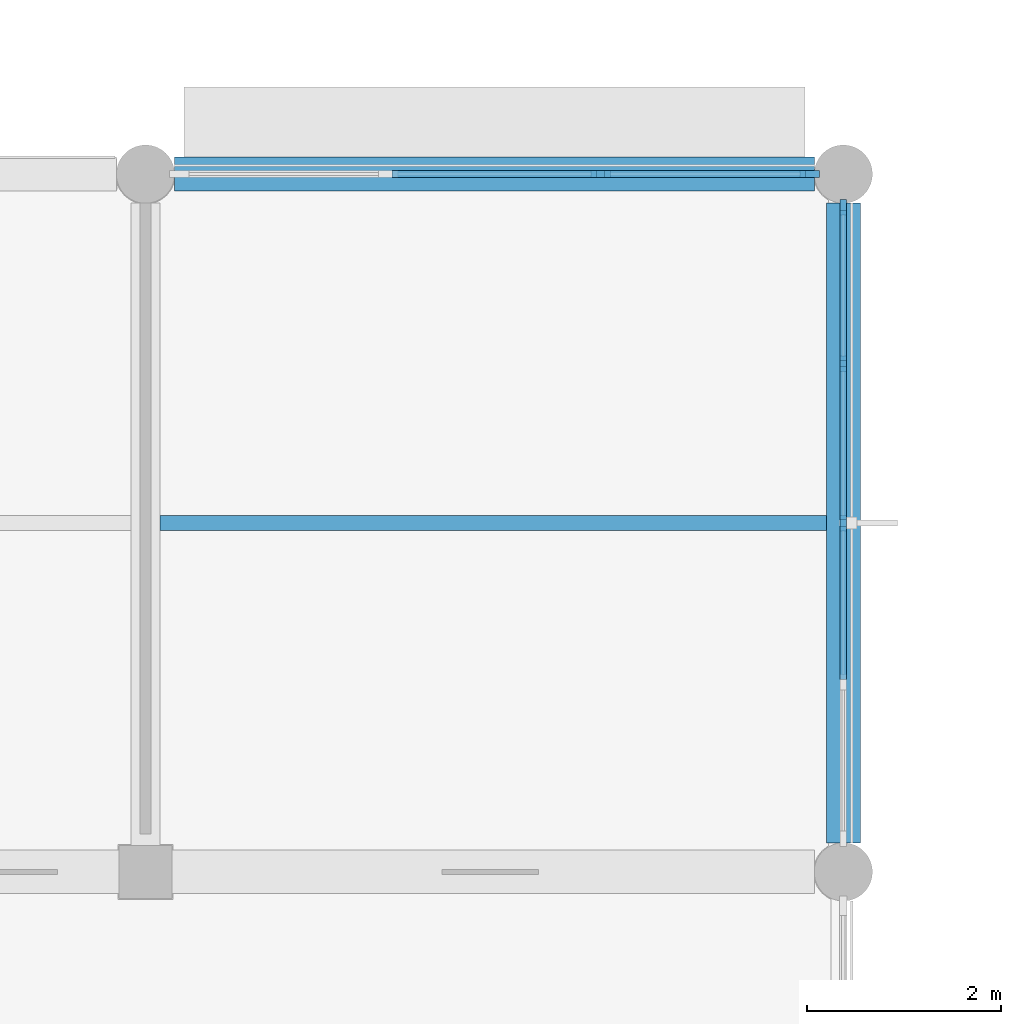
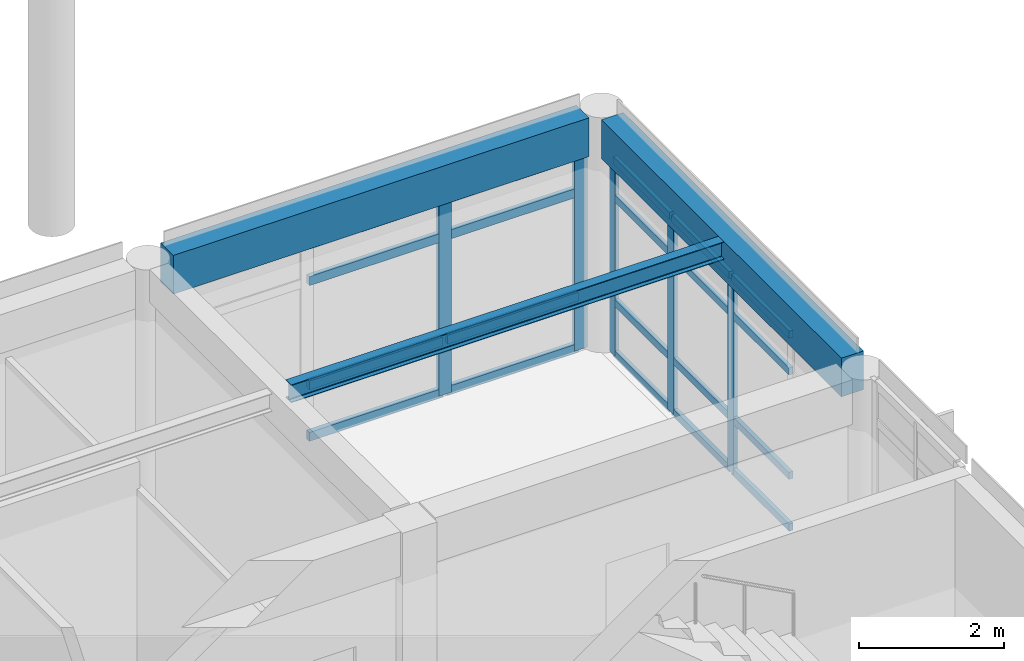
# One storey, part 8 of 29: 25 members, 3 beams, 2 elements without a shape of their own.
"""IFC4 building model written with IfcOpenShell, lengths in metres."""

import ifcopenshell
import ifcopenshell.guid

model = None  # the IFC model being written
_history = None  # IfcOwnerHistory: only IFC2X3 demands one
_inside = {}  # id of a spatial element -> (the spatial element, [elements in it])
_under = {}  # id of a project, library or spatial element -> (it, [spatial elements below it])
_declared = {}  # id of a project -> (the project, [libraries it declares])
_typed = {}  # id of a type object -> (the type object, [elements of that type])
_made_of = {}  # id of a material, layer set ... -> (it, [elements and type objects made of it])


def new_model(schema):
    """Start an empty IFC model of exactly this schema.

    Asked for "IFC4X3", IfcOpenShell would pick the latest addendum, in which some entities
    have other attributes; the version numbers below select the first issue.
    IFC2X3 requires an IfcOwnerHistory on every rooted entity: one is made here for all.
    """
    global model, _history
    if schema == "IFC4X3":
        model = ifcopenshell.file(schema_version=(4, 3, 0, 0))
    else:
        model = ifcopenshell.file(schema=schema)
    _inside.clear()
    _under.clear()
    _declared.clear()
    _typed.clear()
    _made_of.clear()
    _history = None
    if model.schema == "IFC2X3":
        org = make("IfcOrganization", Name="unknown")
        user = make(
            "IfcPersonAndOrganization",
            ThePerson=make("IfcPerson", FamilyName="unknown"),
            TheOrganization=org,
        )
        app = make(
            "IfcApplication",
            ApplicationDeveloper=org,
            Version="unknown",
            ApplicationFullName="unknown",
            ApplicationIdentifier="unknown",
        )
        _history = make(
            "IfcOwnerHistory",
            OwningUser=user,
            OwningApplication=app,
            ChangeAction="ADDED",
            CreationDate=0,
        )
    return model


def make(cls, **values):
    """One entity of the class cls with the attributes given. An attribute that is None is left unset."""
    return model.create_entity(
        cls, **{name: value for name, value in values.items() if value is not None}
    )


def rooted(cls, **values):
    """An entity with a GlobalId (a new one), such as an element, a storey or a relation."""
    return make(cls, GlobalId=ifcopenshell.guid.new(), OwnerHistory=_history, **values)


def si_unit(unit_type, name, prefix=None):
    """IfcSIUnit, for example si_unit("LENGTHUNIT", "METRE", prefix="MILLI")."""
    return make("IfcSIUnit", UnitType=unit_type, Prefix=prefix, Name=name)


def assignment(units):
    """IfcUnitAssignment: the units of a project."""
    return None if units is None else make("IfcUnitAssignment", Units=units)


def point(xyz):
    """IfcCartesianPoint."""
    return None if xyz is None else make("IfcCartesianPoint", Coordinates=xyz)


def direction(xyz):
    """IfcDirection."""
    return None if xyz is None else make("IfcDirection", DirectionRatios=xyz)


def frame(location, z_axis=None, x_axis=None):
    """IfcAxis2Placement3D, a coordinate frame: its origin and axes. An axis left out is left unset."""
    return make(
        "IfcAxis2Placement3D",
        Location=point(location),
        Axis=direction(z_axis),
        RefDirection=direction(x_axis),
    )


def frame_2d(location, x_axis=None):
    """IfcAxis2Placement2D, a coordinate frame in the plane: its origin and x axis."""
    return make(
        "IfcAxis2Placement2D", Location=point(location), RefDirection=direction(x_axis)
    )


def origin():
    """The frame at (0, 0, 0) with its axes left unset."""
    return frame((0.0, 0.0, 0.0))


def origin_2d():
    """The frame at (0, 0) in the plane with its x axis left unset."""
    return frame_2d((0.0, 0.0))


def place(relative_to, where):
    """IfcLocalPlacement: puts the frame where relative to a parent placement (None: the world)."""
    return make(
        "IfcLocalPlacement", PlacementRelTo=relative_to, RelativePlacement=where
    )


def context(
    kind, dimensions, precision=None, world=None, true_north=None, identifier=None
):
    """IfcGeometricRepresentationContext, for example the 3D "Model" context."""
    return make(
        "IfcGeometricRepresentationContext",
        ContextIdentifier=identifier,
        ContextType=kind,
        CoordinateSpaceDimension=dimensions,
        Precision=precision,
        WorldCoordinateSystem=world,
        TrueNorth=true_north,
    )


def subcontext(parent, identifier, kind, view, scale=None):
    """IfcGeometricRepresentationSubContext, for example "Body" below "Model"."""
    return make(
        "IfcGeometricRepresentationSubContext",
        ContextIdentifier=identifier,
        ContextType=kind,
        ParentContext=parent,
        TargetScale=scale,
        TargetView=view,
    )


def project(units=None, contexts=None):
    """IfcProject with its units and contexts."""
    return rooted(
        "IfcProject",
        Name="project",
        RepresentationContexts=contexts,
        UnitsInContext=assignment(units),
    )


def spatial(cls, under=None, at=None, **own):
    """A site, building, storey or space (cls), placed at a placement, below another one or the project."""
    s = rooted(cls, ObjectPlacement=at, **own)
    if under is not None:
        _under.setdefault(under.id(), (under, []))[1].append(s)
    return s


def profile(cls, at=None, kind="AREA", **sizes):
    """A parametric profile (cls). Its sizes go by their IFC names, for example OverallWidth=200.0."""
    return make(cls, ProfileType=kind, Position=at, **sizes)


def rectangle(**sizes):
    """IfcRectangleProfileDef."""
    return profile("IfcRectangleProfileDef", **sizes)


def i_section(**sizes):
    """IfcIShapeProfileDef."""
    return profile("IfcIShapeProfileDef", **sizes)


def extrude(swept, where, along, depth):
    """IfcExtrudedAreaSolid: the profile swept, set in the frame where, extruded along a direction by depth."""
    return make(
        "IfcExtrudedAreaSolid",
        SweptArea=swept,
        Position=where,
        ExtrudedDirection=direction(along),
        Depth=depth,
    )


def shape(context_of_items, identifier, shape_type, items):
    """IfcShapeRepresentation: the items that make up one representation, for example the "Body"."""
    return make(
        "IfcShapeRepresentation",
        ContextOfItems=context_of_items,
        RepresentationIdentifier=identifier,
        RepresentationType=shape_type,
        Items=items,
    )


def material(Name=None, Category=None):
    """IfcMaterial."""
    return make("IfcMaterial", Name=Name, Category=Category)


def layer(
    of_material, thickness, ventilated=None, Name=None, Category=None, Priority=None
):
    """IfcMaterialLayer: one layer of a wall or slab, of a material (None: an air gap)."""
    return make(
        "IfcMaterialLayer",
        Material=of_material,
        LayerThickness=thickness,
        IsVentilated=ventilated,
        Name=Name,
        Category=Category,
        Priority=Priority,
    )


def layer_set(layers, Name=None):
    """IfcMaterialLayerSet."""
    return make("IfcMaterialLayerSet", MaterialLayers=layers, LayerSetName=Name)


def material_profile(
    of_material, cross_section, Name=None, Category=None, Priority=None
):
    """IfcMaterialProfile: a cross section and its material."""
    return make(
        "IfcMaterialProfile",
        Name=Name,
        Material=of_material,
        Profile=cross_section,
        Priority=Priority,
        Category=Category,
    )


def profile_set(profiles, Name=None, composite=None):
    """IfcMaterialProfileSet."""
    return make(
        "IfcMaterialProfileSet",
        Name=Name,
        MaterialProfiles=profiles,
        CompositeProfile=composite,
    )


def made_of(thing, what):
    """Note that an element or type object is made of a material, layer set ...; save() writes the relation."""
    if what is not None:
        _made_of.setdefault(what.id(), (what, []))[1].append(thing)
    return thing


def type_object(cls, material=None, **own):
    """A type object (cls), such as IfcWallType, which elements share."""
    return made_of(rooted(cls, **own), material)


def element(
    cls,
    number,
    at=None,
    inside=None,
    cuts=None,
    type_object=None,
    material=None,
    context=None,
    identifier="Body",
    shape_type=None,
    held_by="IfcProductDefinitionShape",
    body=None,
    shapes=None,
    **own,
):
    """One element of the class cls, such as IfcWall. Its Tag is "e" and its number.

    at: its placement. inside: the storey or other place that contains it. cuts: it is an
    opening in that element (IfcRelVoidsElement). A single representation is given by context,
    identifier, shape_type and body (its items); several are given by shapes. held_by: the class
    of the entity that holds the representations. save() writes the other relations.
    """
    e = rooted(cls, Tag="e%d" % number, ObjectPlacement=at, **own)
    if body is not None:
        shapes = [shape(context, identifier, shape_type, body)]
    if shapes is not None:
        e.Representation = make(held_by, Representations=shapes)
    if inside is not None:
        _inside.setdefault(inside.id(), (inside, []))[1].append(e)
    if cuts is not None:
        rooted(
            "IfcRelVoidsElement", RelatingBuildingElement=cuts, RelatedOpeningElement=e
        )
    if type_object is not None:
        _typed.setdefault(type_object.id(), (type_object, []))[1].append(e)
    return made_of(e, material)


def aggregate(whole, parts):
    """IfcRelAggregates: a whole, such as a stair, and the parts it consists of."""
    return rooted("IfcRelAggregates", RelatingObject=whole, RelatedObjects=parts)


def save(model, path):
    """Write the relations noted so far, then the file.

    IfcRelAggregates (storeys below a building ...), IfcRelContainedInSpatialStructure (elements
    in a storey), IfcRelDefinesByType, IfcRelAssociatesMaterial and IfcRelDeclares: one each for
    every whole, place, type object, material and project.
    """
    for whole, parts in _under.values():
        aggregate(whole, parts)
    for where, things in _inside.values():
        rooted(
            "IfcRelContainedInSpatialStructure",
            RelatedElements=things,
            RelatingStructure=where,
        )
    for kind, things in _typed.values():
        rooted("IfcRelDefinesByType", RelatedObjects=things, RelatingType=kind)
    for what, things in _made_of.values():
        rooted("IfcRelAssociatesMaterial", RelatedObjects=things, RelatingMaterial=what)
    for by, libraries in _declared.values():
        rooted("IfcRelDeclares", RelatingContext=by, RelatedDefinitions=libraries)
    model.write(path)


model = new_model("IFC4")

# Units and contexts
model_context = context("Model", 3, precision=1e-05, world=origin(), true_north=direction((0.0, 1.0)))
body_context = subcontext(model_context, "Body", "Model", "MODEL_VIEW")
ifc_project = project(units=[si_unit("LENGTHUNIT", "METRE"), si_unit("AREAUNIT", "SQUARE_METRE"), si_unit("VOLUMEUNIT", "CUBIC_METRE"), si_unit("PLANEANGLEUNIT", "RADIAN"), si_unit("MASSUNIT", "GRAM", prefix="KILO")], contexts=[model_context])

# Site, building, storey
site_placement = place(None, origin())
site = spatial("IfcSite", under=ifc_project, at=site_placement, CompositionType="ELEMENT")
building_placement = place(site_placement, origin())
building = spatial("IfcBuilding", under=site, at=building_placement, Name="Namkhue Oval Health Centre", CompositionType="ELEMENT")
storey_placement = place(building_placement, frame((0.0, 0.0, 18.0)))
storey = spatial("IfcBuildingStorey", under=building, at=storey_placement, Name="L04", CompositionType="ELEMENT", Elevation=18.0)

# Curtain wall, members
ifc_material_1 = material(Name="Anodised aluminium EN AW-6063 T6", Category="aluminium")
ifc_layer_1 = layer(ifc_material_1, 0.159912109375)
ifc_layer_set_1 = layer_set([ifc_layer_1], Name="Anodised aluminium EN AW-6063 T6")
curtain_wall_type_1 = type_object("IfcCurtainWallType", Name="UNITISED CURTAIN WALL M1800", PredefinedType="NOTDEFINED", material=ifc_layer_set_1)
curtain_wall_1_placement = place(storey_placement, origin())
curtain_wall_1 = element("IfcCurtainWall", 1, at=curtain_wall_1_placement, inside=storey, type_object=curtain_wall_type_1, Name="Volume V3 L04 Unitised Curtain Wall 125", PredefinedType="NOTDEFINED")
ifc_material_profile_1 = material_profile(ifc_material_1, rectangle(XDim=0.06494140625, YDim=0.159912109375, at=origin_2d()), Name="ALU 65x160")
ifc_profile_set_1 = profile_set([ifc_material_profile_1], Name="Anodised aluminium EN AW-6063 T6")
member_type_1 = type_object("IfcMemberType", Name="CURTAIN WALL MULLION 65X160", PredefinedType="MULLION", material=ifc_profile_set_1)
member_1_placement = place(storey_placement, frame((122.39990234375, 100.800048828125, 0.0), z_axis=(0.0, 0.0, 1.0), x_axis=(-1.0, 0.0, 0.0)))
member_1 = element("IfcMember", 2, at=member_1_placement, type_object=member_type_1, Name="CW-05 mullion 3", PredefinedType="MULLION", context=body_context, shape_type="SweptSolid", body=[
    extrude(rectangle(XDim=0.06494140625, YDim=0.159912109375, at=origin_2d()), origin(), (0.0, 0.0, 1.0), 3.302001953125),
])
member_2_placement = place(storey_placement, frame((122.39990234375, 102.445068359375, 0.0), z_axis=(0.0, 0.0, 1.0), x_axis=(-1.0, 0.0, 0.0)))
member_2 = element("IfcMember", 3, at=member_2_placement, type_object=member_type_1, Name="CW-05 mullion 4", PredefinedType="MULLION", context=body_context, shape_type="SweptSolid", body=[
    extrude(rectangle(XDim=0.06494140625, YDim=0.159912109375, at=origin_2d()), origin(), (0.0, 0.0, 1.0), 3.302001953125),
])
member_3_placement = place(storey_placement, frame((122.39990234375, 104.0576171875, 0.0), z_axis=(0.0, 0.0, 1.0), x_axis=(-1.0, 0.0, 0.0)))
member_3 = element("IfcMember", 4, at=member_3_placement, type_object=member_type_1, Name="CW-05 mullion 5", PredefinedType="MULLION", context=body_context, shape_type="SweptSolid", body=[
    extrude(rectangle(XDim=0.06494140625, YDim=0.159912109375, at=origin_2d()), origin(), (0.0, 0.0, 1.0), 3.302001953125),
])

ifc_layer_2 = layer(ifc_material_1, 0.159912109375)
ifc_layer_set_2 = layer_set([ifc_layer_2], Name="Anodised aluminium EN AW-6063 T6")
curtain_wall_type_2 = type_object("IfcCurtainWallType", Name="UNITISED CURTAIN WALL M2000", PredefinedType="NOTDEFINED", material=ifc_layer_set_2)
curtain_wall_2_placement = place(storey_placement, origin())
curtain_wall_2 = element("IfcCurtainWall", 5, at=curtain_wall_2_placement, inside=storey, type_object=curtain_wall_type_2, Name="Volume V3 L04 Unitised Curtain Wall 126", PredefinedType="NOTDEFINED")
ifc_material_profile_2 = material_profile(ifc_material_1, rectangle(XDim=0.074951171875, YDim=0.199951171875, at=origin_2d()), Name="ALU 75x200")
ifc_profile_set_2 = profile_set([ifc_material_profile_2], Name="Anodised aluminium EN AW-6063 T6")
member_type_2 = type_object("IfcMemberType", Name="CURTAIN WALL MULLION 75X200", PredefinedType="MULLION", material=ifc_profile_set_2)
member_4_placement = place(storey_placement, frame((122.052490234375, 104.39990234375, 0.0), z_axis=(0.0, 0.0, 1.0), x_axis=(0.0, -1.0, 0.0)))
member_4 = element("IfcMember", 6, at=member_4_placement, type_object=member_type_2, Name="CW-06 mullion 1", PredefinedType="MULLION", context=body_context, shape_type="SweptSolid", body=[
    extrude(rectangle(XDim=0.074951171875, YDim=0.199951171875, at=origin_2d()), origin(), (0.0, 0.0, 1.0), 3.302001953125),
])
member_5_placement = place(storey_placement, frame((119.896728515625, 104.39990234375, 0.0), z_axis=(0.0, 0.0, 1.0), x_axis=(0.0, -1.0, 0.0)))
member_5 = element("IfcMember", 7, at=member_5_placement, type_object=member_type_2, Name="CW-06 mullion 2", PredefinedType="MULLION", context=body_context, shape_type="SweptSolid", body=[
    extrude(rectangle(XDim=0.074951171875, YDim=0.199951171875, at=origin_2d()), origin(), (0.0, 0.0, 1.0), 3.302001953125),
])

# Member
ifc_material_profile_3 = material_profile(ifc_material_1, rectangle(XDim=0.06494140625, YDim=0.1201171875, at=origin_2d()), Name="ALU 65x120")
ifc_profile_set_3 = profile_set([ifc_material_profile_3], Name="Anodised aluminium EN AW-6063 T6")
member_type_3 = type_object("IfcMemberType", Name="CURTAIN WALL TRANSOM 65X120", PredefinedType="USERDEFINED", material=ifc_profile_set_3)
member_6_placement = place(storey_placement, frame((122.39990234375, 99.1875, 0.032470703125), z_axis=(0.0, 1.0, 0.0), x_axis=(-1.0, 0.0, 0.0)))
member_6 = element("IfcMember", 8, at=member_6_placement, type_object=member_type_3, Name="CW-05 transom 2.1", ObjectType="TRANSOM", PredefinedType="USERDEFINED", context=body_context, shape_type="SweptSolid", body=[
    extrude(rectangle(XDim=0.06494140625, YDim=0.1201171875, at=origin_2d()), origin(), (0.0, 0.0, 1.0), 1.580078125),
])

member_7_placement = place(storey_placement, frame((122.39990234375, 99.1875, 0.89990234375), z_axis=(0.0, 1.0, 0.0), x_axis=(-1.0, 0.0, 0.0)))
member_7 = element("IfcMember", 9, at=member_7_placement, type_object=member_type_3, Name="CW-05 transom 2.2", ObjectType="TRANSOM", PredefinedType="USERDEFINED", context=body_context, shape_type="SweptSolid", body=[
    extrude(rectangle(XDim=0.06494140625, YDim=0.1201171875, at=origin_2d()), origin(), (0.0, 0.0, 1.0), 1.580078125),
])

member_8_placement = place(storey_placement, frame((122.39990234375, 99.1875, 2.652099609375), z_axis=(0.0, 1.0, 0.0), x_axis=(-1.0, 0.0, 0.0)))
member_8 = element("IfcMember", 10, at=member_8_placement, type_object=member_type_3, Name="CW-05 transom 2.3", ObjectType="TRANSOM", PredefinedType="USERDEFINED", context=body_context, shape_type="SweptSolid", body=[
    extrude(rectangle(XDim=0.06494140625, YDim=0.1201171875, at=origin_2d()), origin(), (0.0, 0.0, 1.0), 1.580078125),
])

member_9_placement = place(storey_placement, frame((122.39990234375, 99.1875, 3.26953125), z_axis=(0.0, 1.0, 0.0), x_axis=(-1.0, 0.0, 0.0)))
member_9 = element("IfcMember", 11, at=member_9_placement, type_object=member_type_3, Name="CW-05 transom 2.4", ObjectType="TRANSOM", PredefinedType="USERDEFINED", context=body_context, shape_type="SweptSolid", body=[
    extrude(rectangle(XDim=0.06494140625, YDim=0.1201171875, at=origin_2d()), origin(), (0.0, 0.0, 1.0), 1.580078125),
])

member_10_placement = place(storey_placement, frame((122.39990234375, 100.83251953125, 0.032470703125), z_axis=(0.0, 1.0, 0.0), x_axis=(-1.0, 0.0, 0.0)))
member_10 = element("IfcMember", 12, at=member_10_placement, type_object=member_type_3, Name="CW-05 transom 3.1", ObjectType="TRANSOM", PredefinedType="USERDEFINED", context=body_context, shape_type="SweptSolid", body=[
    extrude(rectangle(XDim=0.06494140625, YDim=0.1201171875, at=origin_2d()), origin(), (0.0, 0.0, 1.0), 1.580078125),
])

member_11_placement = place(storey_placement, frame((122.39990234375, 100.83251953125, 0.89990234375), z_axis=(0.0, 1.0, 0.0), x_axis=(-1.0, 0.0, 0.0)))
member_11 = element("IfcMember", 13, at=member_11_placement, type_object=member_type_3, Name="CW-05 transom 3.2", ObjectType="TRANSOM", PredefinedType="USERDEFINED", context=body_context, shape_type="SweptSolid", body=[
    extrude(rectangle(XDim=0.06494140625, YDim=0.1201171875, at=origin_2d()), origin(), (0.0, 0.0, 1.0), 1.580078125),
])

member_12_placement = place(storey_placement, frame((122.39990234375, 100.83251953125, 2.652099609375), z_axis=(0.0, 1.0, 0.0), x_axis=(-1.0, 0.0, 0.0)))
member_12 = element("IfcMember", 14, at=member_12_placement, type_object=member_type_3, Name="CW-05 transom 3.3", ObjectType="TRANSOM", PredefinedType="USERDEFINED", context=body_context, shape_type="SweptSolid", body=[
    extrude(rectangle(XDim=0.06494140625, YDim=0.1201171875, at=origin_2d()), origin(), (0.0, 0.0, 1.0), 1.580078125),
])

member_13_placement = place(storey_placement, frame((122.39990234375, 100.83251953125, 3.26953125), z_axis=(0.0, 1.0, 0.0), x_axis=(-1.0, 0.0, 0.0)))
member_13 = element("IfcMember", 15, at=member_13_placement, type_object=member_type_3, Name="CW-05 transom 3.4", ObjectType="TRANSOM", PredefinedType="USERDEFINED", context=body_context, shape_type="SweptSolid", body=[
    extrude(rectangle(XDim=0.06494140625, YDim=0.1201171875, at=origin_2d()), origin(), (0.0, 0.0, 1.0), 1.580078125),
])

member_14_placement = place(storey_placement, frame((122.39990234375, 102.4775390625, 0.032470703125), z_axis=(0.0, 1.0, 0.0), x_axis=(-1.0, 0.0, 0.0)))
member_14 = element("IfcMember", 16, at=member_14_placement, type_object=member_type_3, Name="CW-05 transom 4.1", ObjectType="TRANSOM", PredefinedType="USERDEFINED", context=body_context, shape_type="SweptSolid", body=[
    extrude(rectangle(XDim=0.06494140625, YDim=0.1201171875, at=origin_2d()), origin(), (0.0, 0.0, 1.0), 1.54736328125),
])

member_15_placement = place(storey_placement, frame((122.39990234375, 102.4775390625, 0.89990234375), z_axis=(0.0, 1.0, 0.0), x_axis=(-1.0, 0.0, 0.0)))
member_15 = element("IfcMember", 17, at=member_15_placement, type_object=member_type_3, Name="CW-05 transom 4.2", ObjectType="TRANSOM", PredefinedType="USERDEFINED", context=body_context, shape_type="SweptSolid", body=[
    extrude(rectangle(XDim=0.06494140625, YDim=0.1201171875, at=origin_2d()), origin(), (0.0, 0.0, 1.0), 1.54736328125),
])

member_16_placement = place(storey_placement, frame((122.39990234375, 102.4775390625, 2.652099609375), z_axis=(0.0, 1.0, 0.0), x_axis=(-1.0, 0.0, 0.0)))
member_16 = element("IfcMember", 18, at=member_16_placement, type_object=member_type_3, Name="CW-05 transom 4.3", ObjectType="TRANSOM", PredefinedType="USERDEFINED", context=body_context, shape_type="SweptSolid", body=[
    extrude(rectangle(XDim=0.06494140625, YDim=0.1201171875, at=origin_2d()), origin(), (0.0, 0.0, 1.0), 1.54736328125),
])

member_17_placement = place(storey_placement, frame((122.39990234375, 102.4775390625, 3.26953125), z_axis=(0.0, 1.0, 0.0), x_axis=(-1.0, 0.0, 0.0)))
member_17 = element("IfcMember", 19, at=member_17_placement, type_object=member_type_3, Name="CW-05 transom 4.4", ObjectType="TRANSOM", PredefinedType="USERDEFINED", context=body_context, shape_type="SweptSolid", body=[
    extrude(rectangle(XDim=0.06494140625, YDim=0.1201171875, at=origin_2d()), origin(), (0.0, 0.0, 1.0), 1.54736328125),
])

aggregate(curtain_wall_1, [member_1, member_2, member_3, member_6, member_7, member_8, member_9, member_10, member_11, member_12, member_13, member_14, member_15, member_16, member_17])

ifc_material_profile_4 = material_profile(ifc_material_1, rectangle(XDim=0.074951171875, YDim=0.14990234375, at=origin_2d()), Name="ALU 75x150")
ifc_profile_set_4 = profile_set([ifc_material_profile_4], Name="Anodised aluminium EN AW-6063 T6")
member_type_4 = type_object("IfcMemberType", Name="CURTAIN WALL TRANSOM 75X150", PredefinedType="USERDEFINED", material=ifc_profile_set_4)
member_18_placement = place(storey_placement, frame((122.014892578125, 104.39990234375, 0.03759765625), z_axis=(-1.0, 0.0, 0.0), x_axis=(0.0, -1.0, 0.0)))
member_18 = element("IfcMember", 20, at=member_18_placement, type_object=member_type_4, Name="CW-06 transom 1.1", ObjectType="TRANSOM", PredefinedType="USERDEFINED", context=body_context, shape_type="SweptSolid", body=[
    extrude(rectangle(XDim=0.074951171875, YDim=0.14990234375, at=origin_2d()), origin(), (0.0, 0.0, 1.0), 2.080810546875),
])

member_19_placement = place(storey_placement, frame((122.014892578125, 104.39990234375, 0.89990234375), z_axis=(-1.0, 0.0, 0.0), x_axis=(0.0, -1.0, 0.0)))
member_19 = element("IfcMember", 21, at=member_19_placement, type_object=member_type_4, Name="CW-06 transom 1.2", ObjectType="TRANSOM", PredefinedType="USERDEFINED", context=body_context, shape_type="SweptSolid", body=[
    extrude(rectangle(XDim=0.074951171875, YDim=0.14990234375, at=origin_2d()), origin(), (0.0, 0.0, 1.0), 2.080810546875),
])

member_20_placement = place(storey_placement, frame((122.014892578125, 104.39990234375, 2.652099609375), z_axis=(-1.0, 0.0, 0.0), x_axis=(0.0, -1.0, 0.0)))
member_20 = element("IfcMember", 22, at=member_20_placement, type_object=member_type_4, Name="CW-06 transom 1.3", ObjectType="TRANSOM", PredefinedType="USERDEFINED", context=body_context, shape_type="SweptSolid", body=[
    extrude(rectangle(XDim=0.074951171875, YDim=0.14990234375, at=origin_2d()), origin(), (0.0, 0.0, 1.0), 2.080810546875),
])

member_21_placement = place(storey_placement, frame((122.014892578125, 104.39990234375, 3.264404296875), z_axis=(-1.0, 0.0, 0.0), x_axis=(0.0, -1.0, 0.0)))
member_21 = element("IfcMember", 23, at=member_21_placement, type_object=member_type_4, Name="CW-06 transom 1.4", ObjectType="TRANSOM", PredefinedType="USERDEFINED", context=body_context, shape_type="SweptSolid", body=[
    extrude(rectangle(XDim=0.074951171875, YDim=0.14990234375, at=origin_2d()), origin(), (0.0, 0.0, 1.0), 2.080810546875),
])

member_22_placement = place(storey_placement, frame((119.859130859375, 104.39990234375, 0.03759765625), z_axis=(-1.0, 0.0, 0.0), x_axis=(0.0, -1.0, 0.0)))
member_22 = element("IfcMember", 24, at=member_22_placement, type_object=member_type_4, Name="CW-06 transom 2.1", ObjectType="TRANSOM", PredefinedType="USERDEFINED", context=body_context, shape_type="SweptSolid", body=[
    extrude(rectangle(XDim=0.074951171875, YDim=0.14990234375, at=origin_2d()), origin(), (0.0, 0.0, 1.0), 2.118408203125),
])

member_23_placement = place(storey_placement, frame((119.859130859375, 104.39990234375, 0.89990234375), z_axis=(-1.0, 0.0, 0.0), x_axis=(0.0, -1.0, 0.0)))
member_23 = element("IfcMember", 25, at=member_23_placement, type_object=member_type_4, Name="CW-06 transom 2.2", ObjectType="TRANSOM", PredefinedType="USERDEFINED", context=body_context, shape_type="SweptSolid", body=[
    extrude(rectangle(XDim=0.074951171875, YDim=0.14990234375, at=origin_2d()), origin(), (0.0, 0.0, 1.0), 2.118408203125),
])

member_24_placement = place(storey_placement, frame((119.859130859375, 104.39990234375, 2.652099609375), z_axis=(-1.0, 0.0, 0.0), x_axis=(0.0, -1.0, 0.0)))
member_24 = element("IfcMember", 26, at=member_24_placement, type_object=member_type_4, Name="CW-06 transom 2.3", ObjectType="TRANSOM", PredefinedType="USERDEFINED", context=body_context, shape_type="SweptSolid", body=[
    extrude(rectangle(XDim=0.074951171875, YDim=0.14990234375, at=origin_2d()), origin(), (0.0, 0.0, 1.0), 2.118408203125),
])

member_25_placement = place(storey_placement, frame((119.859130859375, 104.39990234375, 3.264404296875), z_axis=(-1.0, 0.0, 0.0), x_axis=(0.0, -1.0, 0.0)))
member_25 = element("IfcMember", 27, at=member_25_placement, type_object=member_type_4, Name="CW-06 transom 2.4", ObjectType="TRANSOM", PredefinedType="USERDEFINED", context=body_context, shape_type="SweptSolid", body=[
    extrude(rectangle(XDim=0.074951171875, YDim=0.14990234375, at=origin_2d()), origin(), (0.0, 0.0, 1.0), 2.118408203125),
])

aggregate(curtain_wall_2, [member_4, member_5, member_18, member_19, member_20, member_21, member_22, member_23, member_24, member_25])

# Beams
ifc_material_2 = material(Name="Reinforced concrete C35/45 (TCVN B40)", Category="concrete")
ifc_material_profile_5 = material_profile(ifc_material_2, rectangle(XDim=0.35009765625, YDim=0.64990234375, at=origin_2d()), Name="RC 350x650")
ifc_profile_set_5 = profile_set([ifc_material_profile_5], Name="Reinforced concrete C35/45 (TCVN B40)")
beam_type_1 = type_object("IfcBeamType", Name="PERIMETER SPANDREL BEAM 350X650", PredefinedType="SPANDREL", material=ifc_profile_set_5)
for number, where, z_axis, x_axis, name in (
    (28, (115.5, 104.39990234375, 3.626953125), (1.0, 0.0, 0.0), (0.0, 1.0, 0.0), "Volume V3 L05 Girder P/17-18"),
    (29, (122.39990234375, 97.5, 3.626953125), (0.0, 1.0, 0.0), (-1.0, 0.0, 0.0), "Volume V3 L05 Beam 18/O-P"),
):
    element("IfcBeam", number, at=place(storey_placement, frame(where, z_axis=z_axis, x_axis=x_axis)), inside=storey, type_object=beam_type_1, Name=name, PredefinedType="SPANDREL", context=body_context, shape_type="SweptSolid", body=[
        extrude(rectangle(XDim=0.35009765625, YDim=0.64990234375, at=origin_2d()), origin(), (0.0, 0.0, 1.0), 6.60009765625),
    ])
ifc_material_3 = material(Name="Structural steel EN 10025-2 S355JR (TCVN 5575:2024)", Category="steel")
ifc_material_profile_6 = material_profile(ifc_material_3, i_section(OverallWidth=0.14990234375, OverallDepth=0.300048828125, WebThickness=0.007080078125, FlangeThickness=0.0107421875, FilletRadius=0.014892578125, at=origin_2d()), Name="IPE 300")
ifc_profile_set_6 = profile_set([ifc_material_profile_6], Name="Structural steel EN 10025-2 S355JR (TCVN 5575:2024)")
beam_type_2 = type_object("IfcBeamType", Name="SECONDARY JOIST STEEL IPE 300", PredefinedType="JOIST", material=ifc_profile_set_6)
beam_placement = place(storey_placement, frame((115.35009765625, 100.800048828125, 3.802001953125), z_axis=(1.0, 0.0, 0.0), x_axis=(0.0, 1.0, 0.0)))
element("IfcBeam", 30, at=beam_placement, inside=storey, type_object=beam_type_2, Name="Volume V3 L05 Secondary Joist 17-18", PredefinedType="JOIST", context=body_context, shape_type="SweptSolid", body=[
    extrude(i_section(OverallWidth=0.14990234375, OverallDepth=0.300048828125, WebThickness=0.007080078125, FlangeThickness=0.0107421875, FilletRadius=0.014892578125, at=origin_2d()), origin(), (0.0, 0.0, 1.0), 6.875),
])

save(model, "model.ifc")
